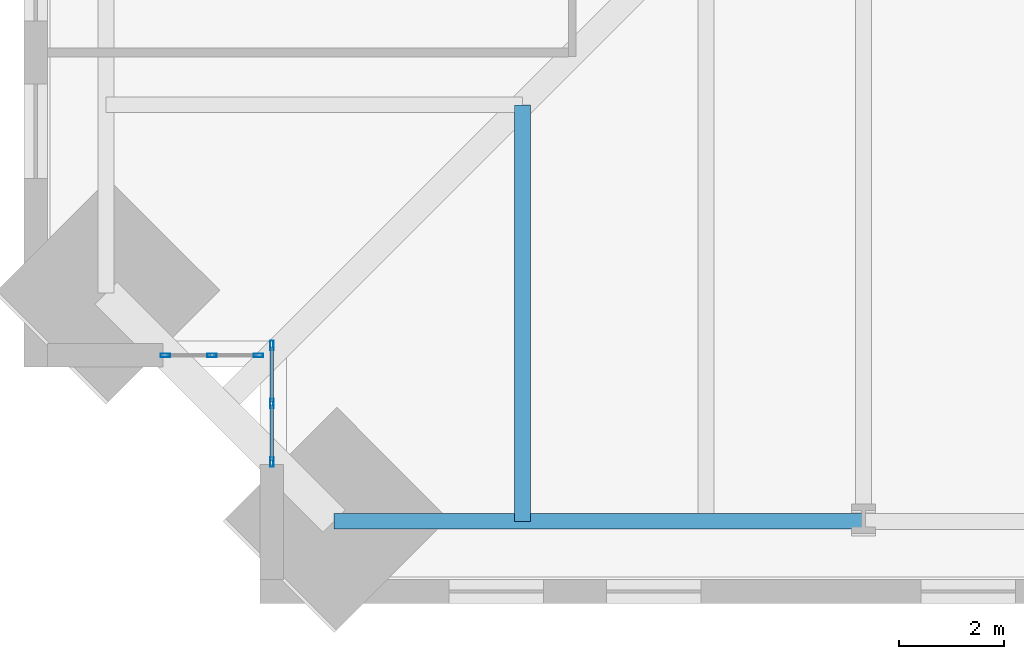
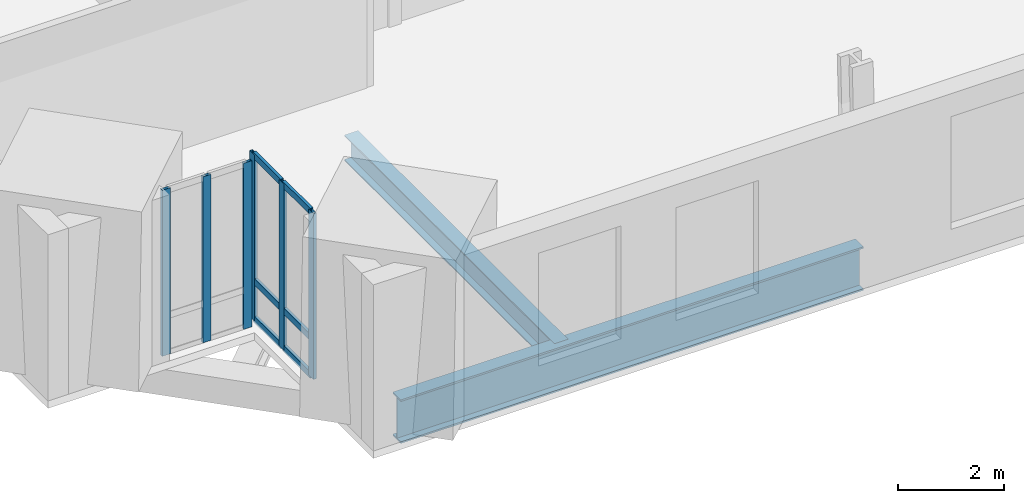
# One storey, part 2 of 15: 12 members, 2 beams, 2 elements without a shape of their own.
"""IFC4 building model written with IfcOpenShell, lengths in metres."""

from ifc_helpers import new_model, si_unit, direction, frame, origin, origin_2d, place, context, subcontext, project, spatial, hollow_rectangle, i_section, extrude, material, material_profile, profile_set, type_object, element, aggregate, save


model = new_model("IFC4")

# Units and contexts
model_context = context("Model", 3, precision=1e-05, world=origin(), true_north=direction((0.0, 1.0)))
body_context = subcontext(model_context, "Body", "Model", "MODEL_VIEW")
ifc_project = project(units=[si_unit("LENGTHUNIT", "METRE"), si_unit("AREAUNIT", "SQUARE_METRE"), si_unit("VOLUMEUNIT", "CUBIC_METRE"), si_unit("PLANEANGLEUNIT", "RADIAN"), si_unit("MASSUNIT", "GRAM", prefix="KILO")], contexts=[model_context])

# Site, building, storey
site_placement = place(None, origin())
site = spatial("IfcSite", under=ifc_project, at=site_placement, CompositionType="ELEMENT")
building_placement = place(site_placement, origin())
building = spatial("IfcBuilding", under=site, at=building_placement, Name="Peilmerk Tower", CompositionType="ELEMENT")
storey_placement = place(building_placement, frame((0.0, 0.0, 209.800048828125)))
storey = spatial("IfcBuildingStorey", under=building, at=storey_placement, Name="L45", CompositionType="ELEMENT", Elevation=209.800048828125)

# Beams
ifc_material_1 = material(Name="Steel S355", Category="steel")
ifc_material_profile_1 = material_profile(ifc_material_1, i_section(OverallWidth=0.302001953125, OverallDepth=1.008056640625, WebThickness=0.02099609375, FlangeThickness=0.0400390625, at=origin_2d()), Name="HEM 1000")
ifc_profile_set_1 = profile_set([ifc_material_profile_1], Name="Steel S355")
beam_type_1 = type_object("IfcBeamType", Name="B1 HEM 1000 edge beam", PredefinedType="SPANDREL", material=ifc_profile_set_1)
beam_1_placement = place(storey_placement, frame((-18.087158203125, -22.43701171875, -0.674072265625), z_axis=(1.0, 0.0, 0.0), x_axis=(0.0, 1.0, 0.0)))
element("IfcBeam", 1, at=beam_1_placement, inside=storey, type_object=beam_type_1, Name="Edge beam L45", PredefinedType="SPANDREL", context=body_context, shape_type="SweptSolid", body=[
    extrude(i_section(OverallWidth=0.302001953125, OverallDepth=1.008056640625, WebThickness=0.02099609375, FlangeThickness=0.0400390625, at=origin_2d()), origin(), (0.0, 0.0, 1.0), 10.087158203125),
])
ifc_material_profile_2 = material_profile(ifc_material_1, i_section(OverallWidth=0.300048828125, OverallDepth=0.590087890625, WebThickness=0.012939453125, FlangeThickness=0.02490234375, at=origin_2d()), Name="HEA 600")
ifc_profile_set_2 = profile_set([ifc_material_profile_2], Name="Steel S355")
beam_type_2 = type_object("IfcBeamType", Name="B27 HEA 600 floor beam", PredefinedType="BEAM", material=ifc_profile_set_2)
beam_2_placement = place(storey_placement, frame((-14.5, -14.5, -0.465087890625), z_axis=(0.0, -1.0, 0.0), x_axis=(1.0, 0.0, 0.0)))
element("IfcBeam", 2, at=beam_2_placement, inside=storey, type_object=beam_type_2, Name="Floor beam L45", PredefinedType="BEAM", context=body_context, shape_type="SweptSolid", body=[
    extrude(i_section(OverallWidth=0.300048828125, OverallDepth=0.590087890625, WebThickness=0.012939453125, FlangeThickness=0.02490234375, at=origin_2d()), origin(), (0.0, 0.0, 1.0), 7.93701171875),
])

# Curtain wall, members
ifc_material_2 = material(Name="Aluminium stick curtain wall", Category="aluminium")
curtain_wall_type = type_object("IfcCurtainWallType", Name="CW4 stick curtain wall, 2250 module", PredefinedType="NOTDEFINED", material=ifc_material_2)
curtain_wall_1_placement = place(storey_placement, origin())
curtain_wall_1 = element("IfcCurtainWall", 3, at=curtain_wall_1_placement, inside=storey, type_object=curtain_wall_type, Name="Curtain wall CW4 SWA L45", PredefinedType="NOTDEFINED")
ifc_material_3 = material(Name="Aluminium EN AW-6063 T6", Category="aluminium")
ifc_material_profile_3 = material_profile(ifc_material_3, hollow_rectangle(XDim=0.06494140625, YDim=0.179931640625, WallThickness=0.0029296875, at=origin_2d()), Name="AL 180x65x3")
ifc_profile_set_3 = profile_set([ifc_material_profile_3], Name="Aluminium EN AW-6063 T6")
member_type_1 = type_object("IfcMemberType", Name="CW4-M AL 180x65x3 mullion", PredefinedType="MULLION", material=ifc_profile_set_3)
member_1_placement = place(storey_placement, frame((-19.27490234375, -19.08251953125, 0.0), z_axis=(0.0, 0.0, 1.0), x_axis=(1.0, 0.0, 0.0)))
member_1 = element("IfcMember", 4, at=member_1_placement, type_object=member_type_1, Name="CW4 mullion 1", PredefinedType="MULLION", context=body_context, shape_type="SweptSolid", body=[
    extrude(hollow_rectangle(XDim=0.06494140625, YDim=0.179931640625, WallThickness=0.0029296875, at=origin_2d()), origin(), (0.0, 0.0, 1.0), 3.829833984375),
])
member_2_placement = place(storey_placement, frame((-19.27490234375, -20.1943359375, 0.0), z_axis=(0.0, 0.0, 1.0), x_axis=(1.0, 0.0, 0.0)))
member_2 = element("IfcMember", 5, at=member_2_placement, type_object=member_type_1, Name="CW4 mullion 2", PredefinedType="MULLION", context=body_context, shape_type="SweptSolid", body=[
    extrude(hollow_rectangle(XDim=0.06494140625, YDim=0.179931640625, WallThickness=0.0029296875, at=origin_2d()), origin(), (0.0, 0.0, 1.0), 3.829833984375),
])
member_3_placement = place(storey_placement, frame((-19.27490234375, -21.30615234375, 0.0), z_axis=(0.0, 0.0, 1.0), x_axis=(1.0, 0.0, 0.0)))
member_3 = element("IfcMember", 6, at=member_3_placement, type_object=member_type_1, Name="CW4 mullion 3", PredefinedType="MULLION", context=body_context, shape_type="SweptSolid", body=[
    extrude(hollow_rectangle(XDim=0.06494140625, YDim=0.179931640625, WallThickness=0.0029296875, at=origin_2d()), origin(), (0.0, 0.0, 1.0), 3.829833984375),
])

curtain_wall_2_placement = place(storey_placement, origin())
curtain_wall_2 = element("IfcCurtainWall", 7, at=curtain_wall_2_placement, inside=storey, type_object=curtain_wall_type, Name="Curtain wall CW4 SWB L45", PredefinedType="NOTDEFINED")
member_4_placement = place(storey_placement, frame((-19.532470703125, -19.27490234375, 0.0), z_axis=(0.0, 0.0, 1.0), x_axis=(0.0, -1.0, 0.0)))
member_4 = element("IfcMember", 8, at=member_4_placement, type_object=member_type_1, Name="CW4 mullion 1", PredefinedType="MULLION", context=body_context, shape_type="SweptSolid", body=[
    extrude(hollow_rectangle(XDim=0.06494140625, YDim=0.179931640625, WallThickness=0.0029296875, at=origin_2d()), origin(), (0.0, 0.0, 1.0), 3.829833984375),
])
member_5_placement = place(storey_placement, frame((-20.41943359375, -19.27490234375, 0.0), z_axis=(0.0, 0.0, 1.0), x_axis=(0.0, -1.0, 0.0)))
member_5 = element("IfcMember", 9, at=member_5_placement, type_object=member_type_1, Name="CW4 mullion 2", PredefinedType="MULLION", context=body_context, shape_type="SweptSolid", body=[
    extrude(hollow_rectangle(XDim=0.06494140625, YDim=0.179931640625, WallThickness=0.0029296875, at=origin_2d()), origin(), (0.0, 0.0, 1.0), 3.829833984375),
])
member_6_placement = place(storey_placement, frame((-21.30615234375, -19.27490234375, 0.0), z_axis=(0.0, 0.0, 1.0), x_axis=(0.0, -1.0, 0.0)))
member_6 = element("IfcMember", 10, at=member_6_placement, type_object=member_type_1, Name="CW4 mullion 3", PredefinedType="MULLION", context=body_context, shape_type="SweptSolid", body=[
    extrude(hollow_rectangle(XDim=0.06494140625, YDim=0.179931640625, WallThickness=0.0029296875, at=origin_2d()), origin(), (0.0, 0.0, 1.0), 3.829833984375),
])
aggregate(curtain_wall_2, [member_4, member_5, member_6])

# Member
ifc_material_profile_4 = material_profile(ifc_material_3, hollow_rectangle(XDim=0.06494140625, YDim=0.14990234375, WallThickness=0.0029296875, at=origin_2d()), Name="AL 150x65x3")
ifc_profile_set_4 = profile_set([ifc_material_profile_4], Name="Aluminium EN AW-6063 T6")
member_type_2 = type_object("IfcMemberType", Name="CW4-T AL 150x65x3 transom", PredefinedType="USERDEFINED", material=ifc_profile_set_4)
member_7_placement = place(storey_placement, frame((-19.27490234375, -19.114990234375, 0.032470703125), z_axis=(0.0, -1.0, 0.0), x_axis=(1.0, 0.0, 0.0)))
member_7 = element("IfcMember", 11, at=member_7_placement, type_object=member_type_2, Name="CW4 transom 1.1", ObjectType="TRANSOM", PredefinedType="USERDEFINED", context=body_context, shape_type="SweptSolid", body=[
    extrude(hollow_rectangle(XDim=0.06494140625, YDim=0.14990234375, WallThickness=0.0029296875, at=origin_2d()), origin(), (0.0, 0.0, 1.0), 1.046875),
])

member_8_placement = place(storey_placement, frame((-19.27490234375, -19.114990234375, 0.89990234375), z_axis=(0.0, -1.0, 0.0), x_axis=(1.0, 0.0, 0.0)))
member_8 = element("IfcMember", 12, at=member_8_placement, type_object=member_type_2, Name="CW4 transom 1.2", ObjectType="TRANSOM", PredefinedType="USERDEFINED", context=body_context, shape_type="SweptSolid", body=[
    extrude(hollow_rectangle(XDim=0.06494140625, YDim=0.14990234375, WallThickness=0.0029296875, at=origin_2d()), origin(), (0.0, 0.0, 1.0), 1.046875),
])

member_9_placement = place(storey_placement, frame((-19.27490234375, -19.114990234375, 3.79736328125), z_axis=(0.0, -1.0, 0.0), x_axis=(1.0, 0.0, 0.0)))
member_9 = element("IfcMember", 13, at=member_9_placement, type_object=member_type_2, Name="CW4 transom 1.3", ObjectType="TRANSOM", PredefinedType="USERDEFINED", context=body_context, shape_type="SweptSolid", body=[
    extrude(hollow_rectangle(XDim=0.06494140625, YDim=0.14990234375, WallThickness=0.0029296875, at=origin_2d()), origin(), (0.0, 0.0, 1.0), 1.046875),
])

member_10_placement = place(storey_placement, frame((-19.27490234375, -20.226806640625, 0.032470703125), z_axis=(0.0, -1.0, 0.0), x_axis=(1.0, 0.0, 0.0)))
member_10 = element("IfcMember", 14, at=member_10_placement, type_object=member_type_2, Name="CW4 transom 2.1", ObjectType="TRANSOM", PredefinedType="USERDEFINED", context=body_context, shape_type="SweptSolid", body=[
    extrude(hollow_rectangle(XDim=0.06494140625, YDim=0.14990234375, WallThickness=0.0029296875, at=origin_2d()), origin(), (0.0, 0.0, 1.0), 1.046875),
])

member_11_placement = place(storey_placement, frame((-19.27490234375, -20.226806640625, 0.89990234375), z_axis=(0.0, -1.0, 0.0), x_axis=(1.0, 0.0, 0.0)))
member_11 = element("IfcMember", 15, at=member_11_placement, type_object=member_type_2, Name="CW4 transom 2.2", ObjectType="TRANSOM", PredefinedType="USERDEFINED", context=body_context, shape_type="SweptSolid", body=[
    extrude(hollow_rectangle(XDim=0.06494140625, YDim=0.14990234375, WallThickness=0.0029296875, at=origin_2d()), origin(), (0.0, 0.0, 1.0), 1.046875),
])

member_12_placement = place(storey_placement, frame((-19.27490234375, -20.226806640625, 3.79736328125), z_axis=(0.0, -1.0, 0.0), x_axis=(1.0, 0.0, 0.0)))
member_12 = element("IfcMember", 16, at=member_12_placement, type_object=member_type_2, Name="CW4 transom 2.3", ObjectType="TRANSOM", PredefinedType="USERDEFINED", context=body_context, shape_type="SweptSolid", body=[
    extrude(hollow_rectangle(XDim=0.06494140625, YDim=0.14990234375, WallThickness=0.0029296875, at=origin_2d()), origin(), (0.0, 0.0, 1.0), 1.046875),
])

aggregate(curtain_wall_1, [member_1, member_2, member_3, member_7, member_8, member_9, member_10, member_11, member_12])

save(model, "model.ifc")
